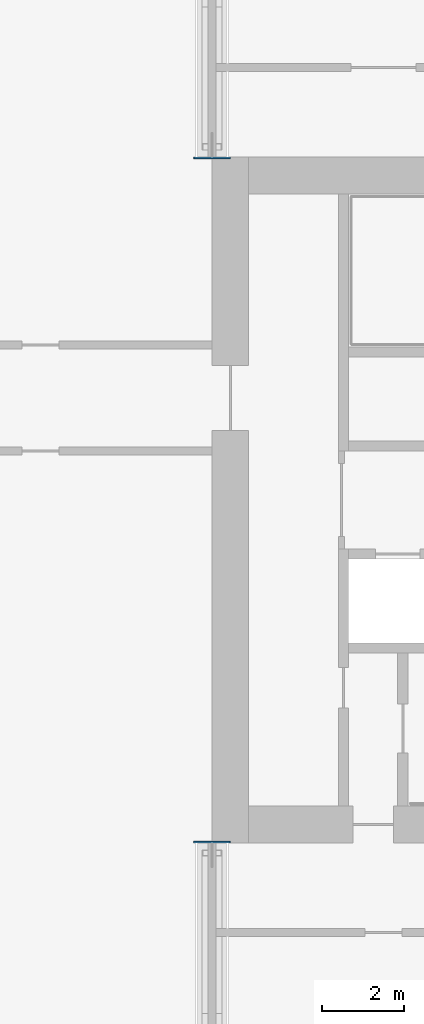
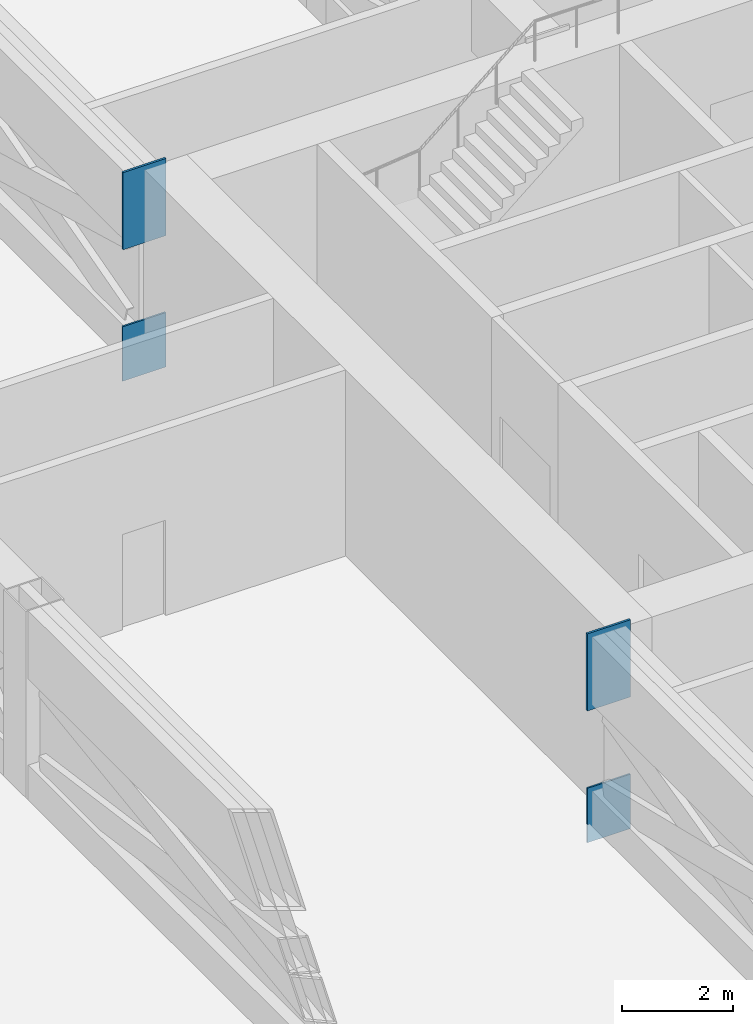
# One storey, part 21 of 33: 4 discrete accessories.
"""IFC4 building model written with IfcOpenShell, lengths in metres."""

from ifc_helpers import new_model, si_unit, direction, frame, origin, origin_2d, place, context, subcontext, project, spatial, rectangle, extrude, material, material_profile, profile_set, type_object, element, save


model = new_model("IFC4")

# Units and contexts
model_context = context("Model", 3, precision=1e-05, world=origin(), true_north=direction((0.0, 1.0)))
body_context = subcontext(model_context, "Body", "Model", "MODEL_VIEW")
ifc_project = project(units=[si_unit("LENGTHUNIT", "METRE"), si_unit("AREAUNIT", "SQUARE_METRE"), si_unit("VOLUMEUNIT", "CUBIC_METRE"), si_unit("PLANEANGLEUNIT", "RADIAN"), si_unit("MASSUNIT", "GRAM", prefix="KILO")], contexts=[model_context])

# Site, building, storey
site_placement = place(None, origin())
site = spatial("IfcSite", under=ifc_project, at=site_placement, CompositionType="ELEMENT")
building_placement = place(site_placement, origin())
building = spatial("IfcBuilding", under=site, at=building_placement, Name="Hakoniwa Tower and Hamabe Station Hall", CompositionType="ELEMENT")
storey_placement = place(building_placement, frame((0.0, 0.0, 175.800048828125)))
storey = spatial("IfcBuildingStorey", under=building, at=storey_placement, Name="L50", CompositionType="ELEMENT", Elevation=175.800048828125)

# Discrete accessories
ifc_material_1 = material(Name="Steel SN490C", Category="steel")
ifc_material_profile_1 = material_profile(ifc_material_1, rectangle(XDim=0.89990234375, YDim=1.199951171875, at=origin_2d()), Name="CAST-IN PLATE BX-1000x700x40")
ifc_profile_set_1 = profile_set([ifc_material_profile_1], Name="Steel SN490C")
discrete_accessory_type_1 = type_object("IfcDiscreteAccessoryType", Name="CAST-IN PLATE BX-1000x700x40", PredefinedType="ANCHORPLATE", material=ifc_profile_set_1)
for number, where, z_axis, x_axis, name in (
    (1, (16.800048828125, -8.364990234375, 0.199951171875), (0.0, -1.0, 0.0), (1.0, 0.0, 0.0), "Cast-in plate T3-14-BC01"),
    (2, (16.800048828125, 8.364990234375, 0.199951171875), (0.0, 1.0, 0.0), (-1.0, 0.0, 0.0), "Cast-in plate T3-15-BC01"),
):
    element("IfcDiscreteAccessory", number, at=place(storey_placement, frame(where, z_axis=z_axis, x_axis=x_axis)), inside=storey, type_object=discrete_accessory_type_1, Name=name, PredefinedType="ANCHORPLATE", context=body_context, shape_type="SweptSolid", body=[
        extrude(rectangle(XDim=0.89990234375, YDim=1.199951171875, at=origin_2d()), origin(), (0.0, 0.0, 1.0), 0.034912109375),
    ])
ifc_material_2 = material(Name="Steel SN490C", Category="steel")
ifc_material_profile_2 = material_profile(ifc_material_2, rectangle(XDim=0.89990234375, YDim=1.699951171875, at=origin_2d()), Name="CAST-IN PLATE BX-1500x700x55")
ifc_profile_set_2 = profile_set([ifc_material_profile_2], Name="Steel SN490C")
discrete_accessory_type_2 = type_object("IfcDiscreteAccessoryType", Name="CAST-IN PLATE BX-1500x700x55", PredefinedType="ANCHORPLATE", material=ifc_profile_set_2)
for number, where, z_axis, x_axis, name in (
    (3, (16.800048828125, -8.35498046875, 3.349853515625), (0.0, -1.0, 0.0), (1.0, 0.0, 0.0), "Cast-in plate T3-14-TC01"),
    (4, (16.800048828125, 8.35498046875, 3.349853515625), (0.0, 1.0, 0.0), (-1.0, 0.0, 0.0), "Cast-in plate T3-15-TC01"),
):
    element("IfcDiscreteAccessory", number, at=place(storey_placement, frame(where, z_axis=z_axis, x_axis=x_axis)), inside=storey, type_object=discrete_accessory_type_2, Name=name, PredefinedType="ANCHORPLATE", context=body_context, shape_type="SweptSolid", body=[
        extrude(rectangle(XDim=0.89990234375, YDim=1.699951171875, at=origin_2d()), origin(), (0.0, 0.0, 1.0), 0.044921875),
    ])

save(model, "model.ifc")
